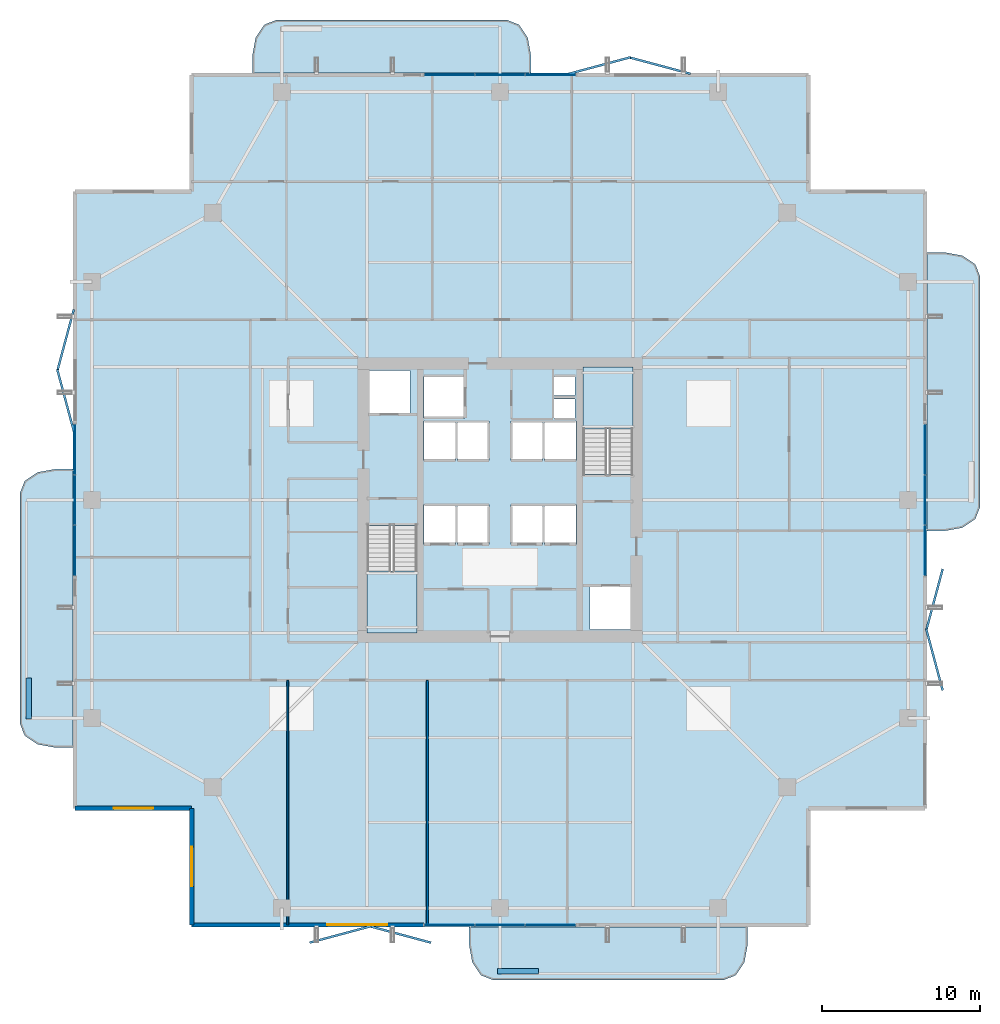
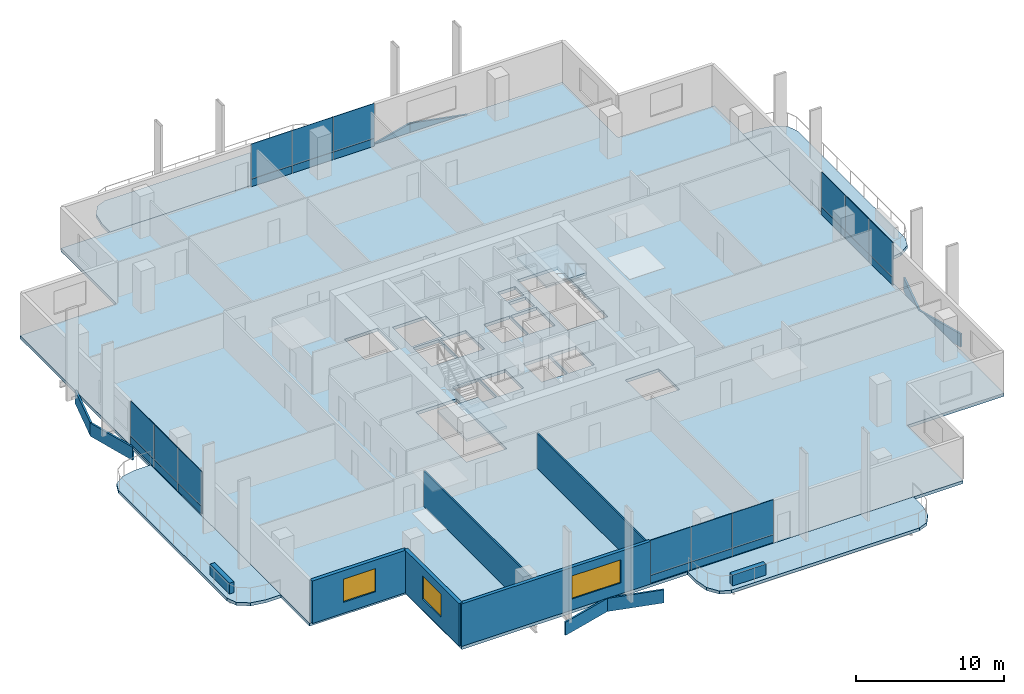
# One storey, part 16 of 24: 32 plates, 7 slabs, 7 walls, 3 windows, 3 openings, 6 elements without a shape of their own.
"""IFC4 building model written with IfcOpenShell, lengths in metres."""

from ifc_helpers import new_model, si_unit, direction, frame, frame_2d, origin, origin_2d, place, context, subcontext, project, spatial, polyline, rectangle, outline, extrude, material, layer, layer_set, type_object, element, fill, aggregate, save


model = new_model("IFC4")

# Units and contexts
model_context = context("Model", 3, precision=1e-05, world=origin(), true_north=direction((0.0, 1.0)))
body_context = subcontext(model_context, "Body", "Model", "MODEL_VIEW")
ifc_project = project(units=[si_unit("LENGTHUNIT", "METRE"), si_unit("AREAUNIT", "SQUARE_METRE"), si_unit("VOLUMEUNIT", "CUBIC_METRE"), si_unit("PLANEANGLEUNIT", "RADIAN"), si_unit("MASSUNIT", "GRAM", prefix="KILO")], contexts=[model_context])

# Site, building, storey
site_placement = place(None, origin())
site = spatial("IfcSite", under=ifc_project, at=site_placement, CompositionType="ELEMENT")
building_placement = place(site_placement, origin())
building = spatial("IfcBuilding", under=site, at=building_placement, Name="Belovzor Exchange Tower", CompositionType="ELEMENT")
storey_placement = place(building_placement, frame((0.0, 0.0, 203.699951171875)))
storey = spatial("IfcBuildingStorey", under=building, at=storey_placement, Name="L50", CompositionType="ELEMENT", Elevation=203.699951171875)

# Slab
ifc_material_1 = material(Name="Concrete C40/50", Category="concrete")
ifc_layer_1 = layer(ifc_material_1, 0.25)
ifc_layer_set_1 = layer_set([ifc_layer_1], Name="Concrete C40/50")
slab_type_1 = type_object("IfcSlabType", Name="Composite Concrete Floor Deck Slab 250", PredefinedType="FLOOR", material=ifc_layer_set_1)
slab_1_placement = place(storey_placement, frame((0.0, 0.0, -0.25)))
element("IfcSlab", 1, at=slab_1_placement, inside=storey, type_object=slab_type_1, Name="SL-F250 Structural Slab L50", PredefinedType="FLOOR", context=body_context, shape_type="SweptSolid", body=[
    extrude(outline(polyline([(9.300048828125, 1.800048828125), (48.300048828125, 1.800048828125), (48.300048828125, 9.300048828125), (55.800048828125, 9.300048828125), (55.800048828125, 48.300048828125), (48.300048828125, 48.300048828125), (48.300048828125, 55.800048828125), (9.300048828125, 55.800048828125), (9.300048828125, 48.300048828125), (1.800048828125, 48.300048828125), (1.800048828125, 9.300048828125), (9.300048828125, 9.300048828125), (9.300048828125, 1.800048828125)]), holes=[polyline([(20.39990234375, 27.175048828125), (20.39990234375, 20.39990234375), (23.550048828125, 20.39990234375), (23.550048828125, 27.175048828125), (20.39990234375, 27.175048828125)]), polyline([(37.199951171875, 30.425048828125), (37.199951171875, 37.199951171875), (34.050048828125, 37.199951171875), (34.050048828125, 30.425048828125), (37.199951171875, 30.425048828125)]), polyline([(20.5, 34.199951171875), (23.10009765625, 34.199951171875), (23.10009765625, 37.0), (20.5, 37.0), (20.5, 34.199951171875)]), polyline([(34.5, 20.60009765625), (37.10009765625, 20.60009765625), (37.10009765625, 23.39990234375), (34.5, 23.39990234375), (34.5, 20.60009765625)]), polyline([(24.0, 34.0), (26.60009765625, 34.0), (26.60009765625, 36.60009765625), (24.0, 36.60009765625), (24.0, 34.0)]), polyline([(24.0, 26.0), (26.0, 26.0), (26.0, 28.5), (24.0, 28.5), (24.0, 26.0)]), polyline([(26.10009765625, 26.0), (28.10009765625, 26.0), (28.10009765625, 28.5), (26.10009765625, 28.5), (26.10009765625, 26.0)]), polyline([(29.5, 26.0), (31.5, 26.0), (31.5, 28.5), (29.5, 28.5), (29.5, 26.0)]), polyline([(31.60009765625, 26.0), (33.60009765625, 26.0), (33.60009765625, 28.5), (31.60009765625, 28.5), (31.60009765625, 26.0)]), polyline([(24.0, 31.300048828125), (26.0, 31.300048828125), (26.0, 33.800048828125), (24.0, 33.800048828125), (24.0, 31.300048828125)]), polyline([(26.10009765625, 31.300048828125), (28.10009765625, 31.300048828125), (28.10009765625, 33.800048828125), (26.10009765625, 33.800048828125), (26.10009765625, 31.300048828125)]), polyline([(29.5, 31.300048828125), (31.5, 31.300048828125), (31.5, 33.800048828125), (29.5, 33.800048828125), (29.5, 31.300048828125)]), polyline([(31.60009765625, 31.300048828125), (33.60009765625, 31.300048828125), (33.60009765625, 33.800048828125), (31.60009765625, 33.800048828125), (31.60009765625, 31.300048828125)]), polyline([(32.199951171875, 34.0), (33.550048828125, 34.0), (33.550048828125, 35.199951171875), (32.199951171875, 35.199951171875), (32.199951171875, 34.0)]), polyline([(32.199951171875, 35.39990234375), (33.550048828125, 35.39990234375), (33.550048828125, 36.60009765625), (32.199951171875, 36.60009765625), (32.199951171875, 35.39990234375)])]), origin(), (0.0, 0.0, 1.0), 0.25),
])

# Curtain wall, plates
ifc_material_2 = material(Name="Anodised Aluminium Framing", Category="aluminium")
ifc_layer_2 = layer(ifc_material_2, 0.179931640625)
ifc_layer_set_2 = layer_set([ifc_layer_2], Name="Anodised Aluminium Framing")
curtain_wall_type = type_object("IfcCurtainWallType", Name="Recessed Loggia Low-Iron Triple-Glazed Curtain Wall", PredefinedType="NOTDEFINED", material=ifc_layer_set_2)
curtain_wall_1_placement = place(storey_placement, origin())
curtain_wall_1 = element("IfcCurtainWall", 2, at=curtain_wall_1_placement, inside=storey, type_object=curtain_wall_type, Name="CW3 Recessed Loggia Low-Iron Triple-Glazed Curtain Wall L50", PredefinedType="NOTDEFINED")
ifc_material_3 = material(Name="Solar-Control Triple Glazing", Category="glass")
ifc_layer_3 = layer(ifc_material_3, 0.0439453125)
ifc_layer_set_3 = layer_set([ifc_layer_3], Name="Solar-Control Triple Glazing")
plate_type_1 = type_object("IfcPlateType", Name="Insulated Solar Glazing Curtain Panel 44", PredefinedType="CURTAIN_PANEL", material=ifc_layer_set_3)
plate_1_placement = place(storey_placement, frame((32.0, 1.929931640625, 0.63232421875), z_axis=(0.0, 0.0, 1.0), x_axis=(-1.0, 0.0, 0.0)))
plate_1 = element("IfcPlate", 3, at=plate_1_placement, type_object=plate_type_1, Name="GLZ-44 Glazed Curtain Panel 1", PredefinedType="CURTAIN_PANEL", context=body_context, shape_type="SweptSolid", body=[
    extrude(rectangle(XDim=3.18408203125, YDim=0.0439453125, at=origin_2d()), origin(), (0.0, 0.0, 1.0), 2.867919921875),
])
plate_2_placement = place(storey_placement, frame((28.800048828125, 1.929931640625, 0.63232421875), z_axis=(0.0, 0.0, 1.0), x_axis=(-1.0, 0.0, 0.0)))
plate_2 = element("IfcPlate", 4, at=plate_2_placement, type_object=plate_type_1, Name="GLZ-44 Glazed Curtain Panel 2", PredefinedType="CURTAIN_PANEL", context=body_context, shape_type="SweptSolid", body=[
    extrude(rectangle(XDim=3.18408203125, YDim=0.0439453125, at=origin_2d()), origin(), (0.0, 0.0, 1.0), 2.867919921875),
])
plate_3_placement = place(storey_placement, frame((25.60009765625, 1.929931640625, 0.63232421875), z_axis=(0.0, 0.0, 1.0), x_axis=(-1.0, 0.0, 0.0)))
plate_3 = element("IfcPlate", 5, at=plate_3_placement, type_object=plate_type_1, Name="GLZ-44 Glazed Curtain Panel 3", PredefinedType="CURTAIN_PANEL", context=body_context, shape_type="SweptSolid", body=[
    extrude(rectangle(XDim=3.18408203125, YDim=0.0439453125, at=origin_2d()), origin(), (0.0, 0.0, 1.0), 2.867919921875),
])

curtain_wall_2_placement = place(storey_placement, origin())
curtain_wall_2 = element("IfcCurtainWall", 6, at=curtain_wall_2_placement, inside=storey, type_object=curtain_wall_type, Name="CW3 Recessed Loggia Low-Iron Triple-Glazed Curtain Wall L50", PredefinedType="NOTDEFINED")
plate_4_placement = place(storey_placement, frame((25.60009765625, 55.669921875, 0.63232421875), z_axis=(0.0, 0.0, 1.0), x_axis=(1.0, 0.0, 0.0)))
plate_4 = element("IfcPlate", 7, at=plate_4_placement, type_object=plate_type_1, Name="GLZ-44 Glazed Curtain Panel 1", PredefinedType="CURTAIN_PANEL", context=body_context, shape_type="SweptSolid", body=[
    extrude(rectangle(XDim=3.18408203125, YDim=0.0439453125, at=origin_2d()), origin(), (0.0, 0.0, 1.0), 2.867919921875),
])
plate_5_placement = place(storey_placement, frame((28.800048828125, 55.669921875, 0.63232421875), z_axis=(0.0, 0.0, 1.0), x_axis=(1.0, 0.0, 0.0)))
plate_5 = element("IfcPlate", 8, at=plate_5_placement, type_object=plate_type_1, Name="GLZ-44 Glazed Curtain Panel 2", PredefinedType="CURTAIN_PANEL", context=body_context, shape_type="SweptSolid", body=[
    extrude(rectangle(XDim=3.18408203125, YDim=0.0439453125, at=origin_2d()), origin(), (0.0, 0.0, 1.0), 2.867919921875),
])
plate_6_placement = place(storey_placement, frame((32.0, 55.669921875, 0.63232421875), z_axis=(0.0, 0.0, 1.0), x_axis=(1.0, 0.0, 0.0)))
plate_6 = element("IfcPlate", 9, at=plate_6_placement, type_object=plate_type_1, Name="GLZ-44 Glazed Curtain Panel 3", PredefinedType="CURTAIN_PANEL", context=body_context, shape_type="SweptSolid", body=[
    extrude(rectangle(XDim=3.18408203125, YDim=0.0439453125, at=origin_2d()), origin(), (0.0, 0.0, 1.0), 2.867919921875),
])

curtain_wall_3_placement = place(storey_placement, origin())
curtain_wall_3 = element("IfcCurtainWall", 10, at=curtain_wall_3_placement, inside=storey, type_object=curtain_wall_type, Name="CW3 Recessed Loggia Low-Iron Triple-Glazed Curtain Wall L50", PredefinedType="NOTDEFINED")
plate_7_placement = place(storey_placement, frame((1.929931640625, 25.60009765625, 0.63232421875), z_axis=(0.0, 0.0, 1.0), x_axis=(0.0, 1.0, 0.0)))
plate_7 = element("IfcPlate", 11, at=plate_7_placement, type_object=plate_type_1, Name="GLZ-44 Glazed Curtain Panel 1", PredefinedType="CURTAIN_PANEL", context=body_context, shape_type="SweptSolid", body=[
    extrude(rectangle(XDim=3.18408203125, YDim=0.0439453125, at=origin_2d()), origin(), (0.0, 0.0, 1.0), 2.867919921875),
])
plate_8_placement = place(storey_placement, frame((1.929931640625, 28.800048828125, 0.63232421875), z_axis=(0.0, 0.0, 1.0), x_axis=(0.0, 1.0, 0.0)))
plate_8 = element("IfcPlate", 12, at=plate_8_placement, type_object=plate_type_1, Name="GLZ-44 Glazed Curtain Panel 2", PredefinedType="CURTAIN_PANEL", context=body_context, shape_type="SweptSolid", body=[
    extrude(rectangle(XDim=3.18408203125, YDim=0.0439453125, at=origin_2d()), origin(), (0.0, 0.0, 1.0), 2.867919921875),
])
plate_9_placement = place(storey_placement, frame((1.929931640625, 32.0, 0.63232421875), z_axis=(0.0, 0.0, 1.0), x_axis=(0.0, 1.0, 0.0)))
plate_9 = element("IfcPlate", 13, at=plate_9_placement, type_object=plate_type_1, Name="GLZ-44 Glazed Curtain Panel 3", PredefinedType="CURTAIN_PANEL", context=body_context, shape_type="SweptSolid", body=[
    extrude(rectangle(XDim=3.18408203125, YDim=0.0439453125, at=origin_2d()), origin(), (0.0, 0.0, 1.0), 2.867919921875),
])

curtain_wall_4_placement = place(storey_placement, origin())
curtain_wall_4 = element("IfcCurtainWall", 14, at=curtain_wall_4_placement, inside=storey, type_object=curtain_wall_type, Name="CW3 Recessed Loggia Low-Iron Triple-Glazed Curtain Wall L50", PredefinedType="NOTDEFINED")
plate_10_placement = place(storey_placement, frame((55.669921875, 32.0, 0.63232421875), z_axis=(0.0, 0.0, 1.0), x_axis=(0.0, -1.0, 0.0)))
plate_10 = element("IfcPlate", 15, at=plate_10_placement, type_object=plate_type_1, Name="GLZ-44 Glazed Curtain Panel 1", PredefinedType="CURTAIN_PANEL", context=body_context, shape_type="SweptSolid", body=[
    extrude(rectangle(XDim=3.18408203125, YDim=0.0439453125, at=origin_2d()), origin(), (0.0, 0.0, 1.0), 2.867919921875),
])
plate_11_placement = place(storey_placement, frame((55.669921875, 28.800048828125, 0.63232421875), z_axis=(0.0, 0.0, 1.0), x_axis=(0.0, -1.0, 0.0)))
plate_11 = element("IfcPlate", 16, at=plate_11_placement, type_object=plate_type_1, Name="GLZ-44 Glazed Curtain Panel 2", PredefinedType="CURTAIN_PANEL", context=body_context, shape_type="SweptSolid", body=[
    extrude(rectangle(XDim=3.18408203125, YDim=0.0439453125, at=origin_2d()), origin(), (0.0, 0.0, 1.0), 2.867919921875),
])
plate_12_placement = place(storey_placement, frame((55.669921875, 25.60009765625, 0.63232421875), z_axis=(0.0, 0.0, 1.0), x_axis=(0.0, -1.0, 0.0)))
plate_12 = element("IfcPlate", 17, at=plate_12_placement, type_object=plate_type_1, Name="GLZ-44 Glazed Curtain Panel 3", PredefinedType="CURTAIN_PANEL", context=body_context, shape_type="SweptSolid", body=[
    extrude(rectangle(XDim=3.18408203125, YDim=0.0439453125, at=origin_2d()), origin(), (0.0, 0.0, 1.0), 2.867919921875),
])

# Plates
ifc_material_4 = material(Name="Extruded Architectural Terracotta", Category="masonry")
ifc_layer_4 = layer(ifc_material_4, 0.139892578125)
ifc_layer_set_4 = layer_set([ifc_layer_4], Name="Extruded Architectural Terracotta")
plate_type_2 = type_object("IfcPlateType", Name="Mid-Tower Folded Zigzag Terracotta Spandrel Louvre 120", PredefinedType="USERDEFINED", material=ifc_layer_set_4)
for number, where, z_axis, x_axis, name in (
    (18, (18.699951171875, 1.330078125, -1.06494140625), (0.0, 0.0, 1.0), (0.965812803231, 0.259240485101, 0.0), "LVR-ZZ2 Zigzag Terracotta Spandrel Louvre L50 S1A"),
    (19, (22.5, 1.330078125, -1.06494140625), (0.0, 0.0, 1.0), (0.965812803231, -0.259240485101, 0.0), "LVR-ZZ2 Zigzag Terracotta Spandrel Louvre L50 S1B"),
    (20, (56.27001953125, 18.699951171875, -1.06494140625), (0.0, 0.0, 1.0), (-0.259240485101, 0.965812803231, 0.0), "LVR-ZZ2 Zigzag Terracotta Spandrel Louvre L50 E1A"),
    (21, (56.27001953125, 22.5, -1.06494140625), (0.0, 0.0, 1.0), (0.259240485101, 0.965812803231, 0.0), "LVR-ZZ2 Zigzag Terracotta Spandrel Louvre L50 E1B"),
    (22, (35.10009765625, 56.27001953125, -1.06494140625), (0.0, 0.0, 1.0), (0.965812803231, 0.259240485101, 0.0), "LVR-ZZ2 Zigzag Terracotta Spandrel Louvre L50 N2A"),
    (23, (38.89990234375, 56.27001953125, -1.06494140625), (0.0, 0.0, 1.0), (0.965812803231, -0.259240485101, 0.0), "LVR-ZZ2 Zigzag Terracotta Spandrel Louvre L50 N2B"),
    (24, (1.330078125, 35.10009765625, -1.06494140625), (0.0, 0.0, 1.0), (-0.259240485101, 0.965812803231, 0.0), "LVR-ZZ2 Zigzag Terracotta Spandrel Louvre L50 W2A"),
    (25, (1.330078125, 38.89990234375, -1.06494140625), (0.0, 0.0, 1.0), (0.259240485101, 0.965812803231, 0.0), "LVR-ZZ2 Zigzag Terracotta Spandrel Louvre L50 W2B"),
):
    element("IfcPlate", number, at=place(storey_placement, frame(where, z_axis=z_axis, x_axis=x_axis)), inside=storey, type_object=plate_type_2, Name=name, ObjectType="SPANDREL_LOUVRE", PredefinedType="USERDEFINED", context=body_context, shape_type="SweptSolid", body=[
        extrude(rectangle(XDim=4.014892578125, YDim=0.139892578125, at=origin_2d()), origin(), (0.0, 0.0, 1.0), 1.080078125),
    ])

# Stair, slab
ifc_material_5 = material(Name="Concrete C40/50", Category="concrete")
stair_type = type_object("IfcStairType", Name="Reinforced Concrete Dogleg Escape Stair 1350", PredefinedType="HALF_TURN_STAIR", material=ifc_material_5)
stair_1_placement = place(storey_placement, origin())
stair_1 = element("IfcStair", 26, at=stair_1_placement, inside=storey, type_object=stair_type, Name="L50 ST-1", PredefinedType="HALF_TURN_STAIR")
ifc_material_6 = material(Name="Concrete C40/50", Category="concrete")
ifc_layer_5 = layer(ifc_material_6, 0.199951171875)
ifc_layer_set_5 = layer_set([ifc_layer_5], Name="Concrete C40/50")
slab_type_2 = type_object("IfcSlabType", Name="Reinforced Concrete Stair Half-Landing Slab 200", PredefinedType="LANDING", material=ifc_layer_set_5)
slab_2_placement = place(storey_placement, frame((0.0, 0.0, 1.675048828125)))
slab_2 = element("IfcSlab", 27, at=slab_2_placement, type_object=slab_type_2, Name="ST-1 landing 1", PredefinedType="LANDING", context=body_context, shape_type="SweptSolid", body=[
    extrude(outline(polyline([(20.39990234375, 24.300048828125), (20.39990234375, 20.39990234375), (23.550048828125, 20.39990234375), (23.550048828125, 24.300048828125), (20.39990234375, 24.300048828125)])), origin(), (0.0, 0.0, 1.0), 0.199951171875),
])
aggregate(stair_1, [slab_2])

stair_2_placement = place(storey_placement, origin())
stair_2 = element("IfcStair", 28, at=stair_2_placement, inside=storey, type_object=stair_type, Name="L50 ST-2", PredefinedType="HALF_TURN_STAIR")
slab_3_placement = place(storey_placement, frame((0.0, 0.0, 1.675048828125)))
slab_3 = element("IfcSlab", 29, at=slab_3_placement, type_object=slab_type_2, Name="ST-2 landing 1", PredefinedType="LANDING", context=body_context, shape_type="SweptSolid", body=[
    extrude(outline(polyline([(37.199951171875, 33.300048828125), (37.199951171875, 37.199951171875), (34.050048828125, 37.199951171875), (34.050048828125, 33.300048828125), (37.199951171875, 33.300048828125)])), origin(), (0.0, 0.0, 1.0), 0.199951171875),
])
aggregate(stair_2, [slab_3])

# Plate
ifc_material_7 = material(Name="Extruded Architectural Terracotta", Category="masonry")
ifc_layer_6 = layer(ifc_material_7, 0.090087890625)
ifc_layer_set_6 = layer_set([ifc_layer_6], Name="Extruded Architectural Terracotta")
plate_type_3 = type_object("IfcPlateType", Name="Terracotta Shadow-Box Spandrel Panel 90", PredefinedType="CURTAIN_PANEL", material=ifc_layer_set_6)
plate_13_placement = place(storey_placement, frame((32.0, 1.929931640625, 0.0), z_axis=(0.0, 0.0, 1.0), x_axis=(-1.0, 0.0, 0.0)))
plate_13 = element("IfcPlate", 30, at=plate_13_placement, type_object=plate_type_3, Name="SPD-90 Spandrel Panel 1", PredefinedType="CURTAIN_PANEL", context=body_context, shape_type="SweptSolid", body=[
    extrude(rectangle(XDim=3.18408203125, YDim=0.090087890625, at=origin_2d()), origin(), (0.0, 0.0, 1.0), 0.6279296875),
])

plate_14_placement = place(storey_placement, frame((28.800048828125, 1.929931640625, 0.0), z_axis=(0.0, 0.0, 1.0), x_axis=(-1.0, 0.0, 0.0)))
plate_14 = element("IfcPlate", 31, at=plate_14_placement, type_object=plate_type_3, Name="SPD-90 Spandrel Panel 2", PredefinedType="CURTAIN_PANEL", context=body_context, shape_type="SweptSolid", body=[
    extrude(rectangle(XDim=3.18408203125, YDim=0.090087890625, at=origin_2d()), origin(), (0.0, 0.0, 1.0), 0.6279296875),
])

plate_15_placement = place(storey_placement, frame((25.60009765625, 1.929931640625, 0.0), z_axis=(0.0, 0.0, 1.0), x_axis=(-1.0, 0.0, 0.0)))
plate_15 = element("IfcPlate", 32, at=plate_15_placement, type_object=plate_type_3, Name="SPD-90 Spandrel Panel 3", PredefinedType="CURTAIN_PANEL", context=body_context, shape_type="SweptSolid", body=[
    extrude(rectangle(XDim=3.18408203125, YDim=0.090087890625, at=origin_2d()), origin(), (0.0, 0.0, 1.0), 0.6279296875),
])

aggregate(curtain_wall_1, [plate_13, plate_1, plate_14, plate_2, plate_15, plate_3])

plate_16_placement = place(storey_placement, frame((25.60009765625, 55.669921875, 0.0), z_axis=(0.0, 0.0, 1.0), x_axis=(1.0, 0.0, 0.0)))
plate_16 = element("IfcPlate", 33, at=plate_16_placement, type_object=plate_type_3, Name="SPD-90 Spandrel Panel 1", PredefinedType="CURTAIN_PANEL", context=body_context, shape_type="SweptSolid", body=[
    extrude(rectangle(XDim=3.18408203125, YDim=0.090087890625, at=origin_2d()), origin(), (0.0, 0.0, 1.0), 0.6279296875),
])

plate_17_placement = place(storey_placement, frame((28.800048828125, 55.669921875, 0.0), z_axis=(0.0, 0.0, 1.0), x_axis=(1.0, 0.0, 0.0)))
plate_17 = element("IfcPlate", 34, at=plate_17_placement, type_object=plate_type_3, Name="SPD-90 Spandrel Panel 2", PredefinedType="CURTAIN_PANEL", context=body_context, shape_type="SweptSolid", body=[
    extrude(rectangle(XDim=3.18408203125, YDim=0.090087890625, at=origin_2d()), origin(), (0.0, 0.0, 1.0), 0.6279296875),
])

plate_18_placement = place(storey_placement, frame((32.0, 55.669921875, 0.0), z_axis=(0.0, 0.0, 1.0), x_axis=(1.0, 0.0, 0.0)))
plate_18 = element("IfcPlate", 35, at=plate_18_placement, type_object=plate_type_3, Name="SPD-90 Spandrel Panel 3", PredefinedType="CURTAIN_PANEL", context=body_context, shape_type="SweptSolid", body=[
    extrude(rectangle(XDim=3.18408203125, YDim=0.090087890625, at=origin_2d()), origin(), (0.0, 0.0, 1.0), 0.6279296875),
])

aggregate(curtain_wall_2, [plate_16, plate_4, plate_17, plate_5, plate_18, plate_6])

plate_19_placement = place(storey_placement, frame((1.929931640625, 25.60009765625, 0.0), z_axis=(0.0, 0.0, 1.0), x_axis=(0.0, 1.0, 0.0)))
plate_19 = element("IfcPlate", 36, at=plate_19_placement, type_object=plate_type_3, Name="SPD-90 Spandrel Panel 1", PredefinedType="CURTAIN_PANEL", context=body_context, shape_type="SweptSolid", body=[
    extrude(rectangle(XDim=3.18408203125, YDim=0.090087890625, at=origin_2d()), origin(), (0.0, 0.0, 1.0), 0.6279296875),
])

plate_20_placement = place(storey_placement, frame((1.929931640625, 28.800048828125, 0.0), z_axis=(0.0, 0.0, 1.0), x_axis=(0.0, 1.0, 0.0)))
plate_20 = element("IfcPlate", 37, at=plate_20_placement, type_object=plate_type_3, Name="SPD-90 Spandrel Panel 2", PredefinedType="CURTAIN_PANEL", context=body_context, shape_type="SweptSolid", body=[
    extrude(rectangle(XDim=3.18408203125, YDim=0.090087890625, at=origin_2d()), origin(), (0.0, 0.0, 1.0), 0.6279296875),
])

plate_21_placement = place(storey_placement, frame((1.929931640625, 32.0, 0.0), z_axis=(0.0, 0.0, 1.0), x_axis=(0.0, 1.0, 0.0)))
plate_21 = element("IfcPlate", 38, at=plate_21_placement, type_object=plate_type_3, Name="SPD-90 Spandrel Panel 3", PredefinedType="CURTAIN_PANEL", context=body_context, shape_type="SweptSolid", body=[
    extrude(rectangle(XDim=3.18408203125, YDim=0.090087890625, at=origin_2d()), origin(), (0.0, 0.0, 1.0), 0.6279296875),
])

aggregate(curtain_wall_3, [plate_19, plate_7, plate_20, plate_8, plate_21, plate_9])

plate_22_placement = place(storey_placement, frame((55.669921875, 32.0, 0.0), z_axis=(0.0, 0.0, 1.0), x_axis=(0.0, -1.0, 0.0)))
plate_22 = element("IfcPlate", 39, at=plate_22_placement, type_object=plate_type_3, Name="SPD-90 Spandrel Panel 1", PredefinedType="CURTAIN_PANEL", context=body_context, shape_type="SweptSolid", body=[
    extrude(rectangle(XDim=3.18408203125, YDim=0.090087890625, at=origin_2d()), origin(), (0.0, 0.0, 1.0), 0.6279296875),
])

plate_23_placement = place(storey_placement, frame((55.669921875, 28.800048828125, 0.0), z_axis=(0.0, 0.0, 1.0), x_axis=(0.0, -1.0, 0.0)))
plate_23 = element("IfcPlate", 40, at=plate_23_placement, type_object=plate_type_3, Name="SPD-90 Spandrel Panel 2", PredefinedType="CURTAIN_PANEL", context=body_context, shape_type="SweptSolid", body=[
    extrude(rectangle(XDim=3.18408203125, YDim=0.090087890625, at=origin_2d()), origin(), (0.0, 0.0, 1.0), 0.6279296875),
])

plate_24_placement = place(storey_placement, frame((55.669921875, 25.60009765625, 0.0), z_axis=(0.0, 0.0, 1.0), x_axis=(0.0, -1.0, 0.0)))
plate_24 = element("IfcPlate", 41, at=plate_24_placement, type_object=plate_type_3, Name="SPD-90 Spandrel Panel 3", PredefinedType="CURTAIN_PANEL", context=body_context, shape_type="SweptSolid", body=[
    extrude(rectangle(XDim=3.18408203125, YDim=0.090087890625, at=origin_2d()), origin(), (0.0, 0.0, 1.0), 0.6279296875),
])

aggregate(curtain_wall_4, [plate_22, plate_10, plate_23, plate_11, plate_24, plate_12])

# Slabs
ifc_material_8 = material(Name="Concrete C40/50", Category="concrete")
ifc_layer_7 = layer(ifc_material_8, 0.25)
ifc_layer_set_7 = layer_set([ifc_layer_7], Name="Concrete C40/50")
slab_type_3 = type_object("IfcSlabType", Name="Thermally Broken Planted Balcony Slab 250", PredefinedType="FLOOR", material=ifc_layer_set_7)
slab_4_placement = place(storey_placement, frame((0.0, 0.0, -0.25)))
element("IfcSlab", 42, at=slab_4_placement, inside=storey, type_object=slab_type_3, Name="SL-BAL220 Planted Balcony Loggia L50 South", PredefinedType="FLOOR", context=body_context, shape_type="SweptSolid", body=[
    extrude(outline(polyline([(26.85009765625, 1.81494140625), (26.85009765625, 0.64990234375), (27.051025390625, -0.449951171875), (27.60009765625, -1.2548828125), (28.35009765625, -1.550048828125), (42.949951171875, -1.550048828125), (43.699951171875, -1.2548828125), (44.2490234375, -0.449951171875), (44.449951171875, 0.64990234375), (44.449951171875, 1.81494140625), (26.85009765625, 1.81494140625)])), origin(), (0.0, 0.0, 1.0), 0.25),
])
slab_5_placement = place(storey_placement, frame((0.0, 0.0, -0.25)))
element("IfcSlab", 43, at=slab_5_placement, inside=storey, type_object=slab_type_3, Name="SL-BAL220 Planted Balcony Loggia L50 North", PredefinedType="FLOOR", context=body_context, shape_type="SweptSolid", body=[
    extrude(outline(polyline([(30.75, 55.784912109375), (30.75, 56.949951171875), (30.549072265625, 58.050048828125), (30.0, 58.85498046875), (29.25, 59.14990234375), (14.64990234375, 59.14990234375), (13.89990234375, 58.85498046875), (13.35107421875, 58.050048828125), (13.14990234375, 56.949951171875), (13.14990234375, 55.784912109375), (30.75, 55.784912109375)])), origin(), (0.0, 0.0, 1.0), 0.25),
])
slab_6_placement = place(storey_placement, frame((0.0, 0.0, -0.25)))
element("IfcSlab", 44, at=slab_6_placement, inside=storey, type_object=slab_type_3, Name="SL-BAL220 Planted Balcony Loggia L50 East", PredefinedType="FLOOR", context=body_context, shape_type="SweptSolid", body=[
    extrude(outline(polyline([(55.784912109375, 26.85009765625), (56.949951171875, 26.85009765625), (58.050048828125, 27.051025390625), (58.85498046875, 27.60009765625), (59.14990234375, 28.35009765625), (59.14990234375, 42.949951171875), (58.85498046875, 43.699951171875), (58.050048828125, 44.2490234375), (56.949951171875, 44.449951171875), (55.784912109375, 44.449951171875), (55.784912109375, 26.85009765625)])), origin(), (0.0, 0.0, 1.0), 0.25),
])
slab_7_placement = place(storey_placement, frame((0.0, 0.0, -0.25)))
element("IfcSlab", 45, at=slab_7_placement, inside=storey, type_object=slab_type_3, Name="SL-BAL220 Planted Balcony Loggia L50 West", PredefinedType="FLOOR", context=body_context, shape_type="SweptSolid", body=[
    extrude(outline(polyline([(1.81494140625, 30.75), (0.64990234375, 30.75), (-0.449951171875, 30.549072265625), (-1.2548828125, 30.0), (-1.550048828125, 29.25), (-1.550048828125, 14.64990234375), (-1.2548828125, 13.89990234375), (-0.449951171875, 13.35107421875), (0.64990234375, 13.14990234375), (1.81494140625, 13.14990234375), (1.81494140625, 30.75)])), origin(), (0.0, 0.0, 1.0), 0.25),
])

# Walls
ifc_material_9 = material(Name="Acoustic Plasterboard on Galvanised Studs", Category="gypsum")
ifc_layer_8 = layer(ifc_material_9, 0.1201171875)
ifc_layer_set_8 = layer_set([ifc_layer_8], Name="Acoustic Plasterboard on Galvanised Studs")
wall_type_1 = type_object("IfcWallType", Name="Acoustic Double-Stud Partition Wall 120", PredefinedType="PARTITIONING", material=ifc_layer_set_8)
for number, where, z_axis, x_axis, name in (
    (46, (15.3779296875, 1.929931640625, 0.0), (0.0, 0.0, 1.0), (0.0, 1.0, 0.0), "W-P120 Partition Wall W-L50-SDIV-1"),
    (47, (24.208984375, 1.929931640625, 0.0), (0.0, 0.0, 1.0), (0.0, 1.0, 0.0), "W-P120 Partition Wall W-L50-SDIV-2"),
):
    element("IfcWall", number, at=place(storey_placement, frame(where, z_axis=z_axis, x_axis=x_axis)), inside=storey, type_object=wall_type_1, Name=name, PredefinedType="PARTITIONING", context=body_context, shape_type="SweptSolid", body=[
        extrude(rectangle(XDim=15.469970703125, YDim=0.1201171875, at=frame_2d((7.73486328125, 0.0))), origin(), (0.0, 0.0, 1.0), 2.885009765625),
    ])

# Wall, opening, window
ifc_material_10 = material(Name="Precast concrete C40/50", Category="concrete")
ifc_layer_9 = layer(ifc_material_10, 0.280029296875)
ifc_layer_set_9 = layer_set([ifc_layer_9], Name="Precast concrete C40/50")
wall_type_2 = type_object("IfcWallType", Name="Precast Concrete Notched Corner Frame Wall 280", PredefinedType="SOLIDWALL", material=ifc_layer_set_9)
wall_1_placement = place(storey_placement, frame((9.300048828125, 1.929931640625, 0.0), z_axis=(0.0, 0.0, 1.0), x_axis=(0.0, 1.0, 0.0)))
wall_1 = element("IfcWall", 48, at=wall_1_placement, inside=storey, type_object=wall_type_2, Name="W-CRN280 Precast Concrete Notched Corner Frame Wall 280 L50", PredefinedType="SOLIDWALL", context=body_context, shape_type="SweptSolid", body=[
    extrude(rectangle(XDim=7.3701171875, YDim=0.280029296875, at=frame_2d((3.68505859375, 0.0))), origin(), (0.0, 0.0, 1.0), 3.5),
])
opening_1_placement = place(wall_1_placement, frame((2.43505859375, 0.0, 0.89990234375)))
opening_1 = element("IfcOpeningElement", 49, at=opening_1_placement, cuts=wall_1, Name="Opening WN-CRN250", PredefinedType="OPENING", context=body_context, shape_type="SweptSolid", body=[
    extrude(rectangle(XDim=2.5, YDim=1.89990234375, at=frame_2d((1.25, 0.949951171875))), frame((0.0, 0.14990234375, 0.0), z_axis=(0.0, -1.0, 0.0), x_axis=(1.0, 0.0, 0.0)), (0.0, 0.0, 1.0), 0.300048828125),
])
ifc_material_11 = material(Name="Thermally Broken Aluminium and Triple Glazing", Category="aluminium")
window_type_1 = type_object("IfcWindowType", Name="Streamline Moderne Corner Wrap Ribbon Window 2500x1900", PartitioningType="SINGLE_PANEL", PredefinedType="WINDOW", material=ifc_material_11)
window_1_placement = place(opening_1_placement, origin())
window_1 = element("IfcWindow", 50, at=window_1_placement, inside=storey, type_object=window_type_1, Name="WN-CRN250 Streamline Moderne Corner Wrap Ribbon Window 2500x1900", OverallHeight=1.89990234375, OverallWidth=2.5, PartitioningType="SINGLE_PANEL", PredefinedType="WINDOW", context=body_context, shape_type="SweptSolid", body=[
    extrude(rectangle(XDim=2.5, YDim=1.89990234375, at=frame_2d((1.25, 0.949951171875))), frame((0.0, 0.030029296875, 0.0), z_axis=(0.0, -1.0, 0.0), x_axis=(1.0, 0.0, 0.0)), (0.0, 0.0, 1.0), 0.06005859375),
])
fill(opening_1, window_1)

wall_2_placement = place(storey_placement, frame((9.300048828125, 9.300048828125, 0.0), z_axis=(0.0, 0.0, 1.0), x_axis=(-1.0, 0.0, 0.0)))
wall_2 = element("IfcWall", 51, at=wall_2_placement, inside=storey, type_object=wall_type_2, Name="W-CRN280 Precast Concrete Notched Corner Frame Wall 280 L50", PredefinedType="SOLIDWALL", context=body_context, shape_type="SweptSolid", body=[
    extrude(rectangle(XDim=7.3701171875, YDim=0.280029296875, at=frame_2d((3.68505859375, 0.0))), origin(), (0.0, 0.0, 1.0), 3.5),
])
opening_2_placement = place(wall_2_placement, frame((2.43505859375, 0.0, 0.89990234375)))
opening_2 = element("IfcOpeningElement", 52, at=opening_2_placement, cuts=wall_2, Name="Opening WN-CRN250", PredefinedType="OPENING", context=body_context, shape_type="SweptSolid", body=[
    extrude(rectangle(XDim=2.5, YDim=1.89990234375, at=frame_2d((1.25, 0.949951171875))), frame((0.0, 0.14990234375, 0.0), z_axis=(0.0, -1.0, 0.0), x_axis=(1.0, 0.0, 0.0)), (0.0, 0.0, 1.0), 0.300048828125),
])
window_2_placement = place(opening_2_placement, origin())
window_2 = element("IfcWindow", 53, at=window_2_placement, inside=storey, type_object=window_type_1, Name="WN-CRN250 Streamline Moderne Corner Wrap Ribbon Window 2500x1900", OverallHeight=1.89990234375, OverallWidth=2.5, PartitioningType="SINGLE_PANEL", PredefinedType="WINDOW", context=body_context, shape_type="SweptSolid", body=[
    extrude(rectangle(XDim=2.5, YDim=1.89990234375, at=frame_2d((1.25, 0.949951171875))), frame((0.0, 0.030029296875, 0.0), z_axis=(0.0, -1.0, 0.0), x_axis=(1.0, 0.0, 0.0)), (0.0, 0.0, 1.0), 0.06005859375),
])
fill(opening_2, window_2)

ifc_material_12 = material(Name="Precast concrete C40/50", Category="concrete")
ifc_layer_10 = layer(ifc_material_12, 0.260009765625)
ifc_layer_set_10 = layer_set([ifc_layer_10], Name="Precast concrete C40/50")
wall_type_3 = type_object("IfcWallType", Name="Precast Concrete Perimeter Loggia Frame Wall 260", PredefinedType="SOLIDWALL", material=ifc_layer_set_10)
wall_3_placement = place(storey_placement, frame((24.0, 1.929931640625, 0.0), z_axis=(0.0, 0.0, 1.0), x_axis=(-1.0, 0.0, 0.0)))
wall_3 = element("IfcWall", 54, at=wall_3_placement, inside=storey, type_object=wall_type_3, Name="W-EXT260 Precast Concrete Perimeter Loggia Frame Wall 260 L50", PredefinedType="SOLIDWALL", context=body_context, shape_type="SweptSolid", body=[
    extrude(rectangle(XDim=14.699951171875, YDim=0.260009765625, at=frame_2d((7.35009765625, 0.0))), origin(), (0.0, 0.0, 1.0), 3.5),
])
opening_3_placement = place(wall_3_placement, frame((2.330078125, 0.0, 0.89990234375)))
opening_3 = element("IfcOpeningElement", 55, at=opening_3_placement, cuts=wall_3, Name="Opening WN-RIB380", PredefinedType="OPENING", context=body_context, shape_type="SweptSolid", body=[
    extrude(rectangle(XDim=3.800048828125, YDim=1.89990234375, at=frame_2d((1.89990234375, 0.949951171875))), frame((0.0, 0.139892578125, 0.0), z_axis=(0.0, -1.0, 0.0), x_axis=(1.0, 0.0, 0.0)), (0.0, 0.0, 1.0), 0.280029296875),
])
ifc_material_13 = material(Name="Thermally Broken Aluminium and Triple Glazing", Category="aluminium")
window_type_2 = type_object("IfcWindowType", Name="Streamline Moderne Horizontal Ribbon Window 3800x1900", PartitioningType="SINGLE_PANEL", PredefinedType="WINDOW", material=ifc_material_13)
window_3_placement = place(opening_3_placement, origin())
window_3 = element("IfcWindow", 56, at=window_3_placement, inside=storey, type_object=window_type_2, Name="WN-RIB380 Streamline Moderne Horizontal Ribbon Window 3800x1900", OverallHeight=1.89990234375, OverallWidth=3.800048828125, PartitioningType="SINGLE_PANEL", PredefinedType="WINDOW", context=body_context, shape_type="SweptSolid", body=[
    extrude(rectangle(XDim=3.800048828125, YDim=1.89990234375, at=frame_2d((1.89990234375, 0.949951171875))), frame((0.0, 0.030029296875, 0.0), z_axis=(0.0, -1.0, 0.0), x_axis=(1.0, 0.0, 0.0)), (0.0, 0.0, 1.0), 0.06005859375),
])
fill(opening_3, window_3)

# Walls
ifc_material_14 = material(Name="Precast concrete C40/50", Category="concrete")
ifc_layer_11 = layer(ifc_material_14, 0.35009765625)
ifc_layer_set_11 = layer_set([ifc_layer_11], Name="Precast concrete C40/50")
wall_type_4 = type_object("IfcWallType", Name="Precast Concrete Structural Tree Planter Trough 350", PredefinedType="PARAPET", material=ifc_layer_set_11)
for number, where, z_axis, x_axis, name in (
    (57, (28.64990234375, -1.0, 0.0), (0.0, 0.0, 1.0), (1.0, 0.0, 0.0), "PT-350 Precast Concrete Structural Tree Planter Trough 350 L50"),
    (58, (-1.0, 14.949951171875, 0.0), (0.0, 0.0, 1.0), (0.0, 1.0, 0.0), "PT-350 Precast Concrete Structural Tree Planter Trough 350 L50"),
):
    element("IfcWall", number, at=place(storey_placement, frame(where, z_axis=z_axis, x_axis=x_axis)), inside=storey, type_object=wall_type_4, Name=name, PredefinedType="PARAPET", context=body_context, shape_type="SweptSolid", body=[
        extrude(rectangle(XDim=2.60009765625, YDim=0.35009765625, at=frame_2d((1.300048828125, 0.0))), origin(), (0.0, 0.0, 1.0), 0.900146484375),
    ])

save(model, "model.ifc")
